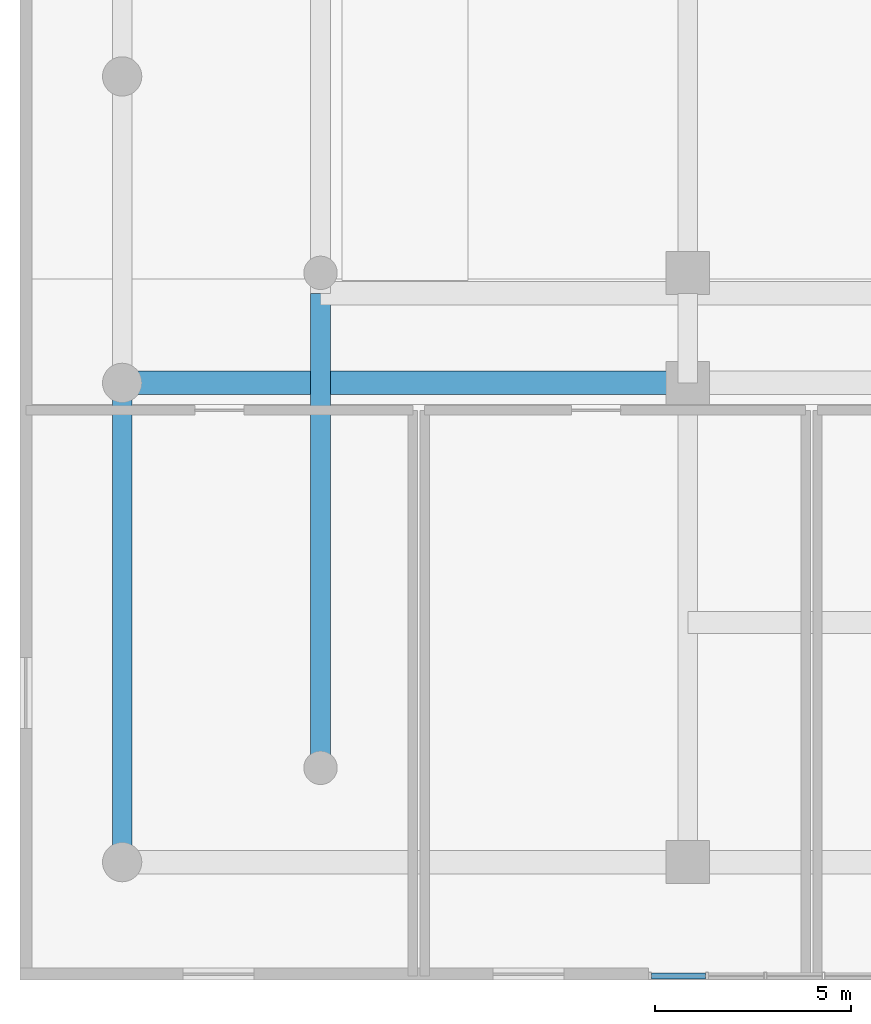
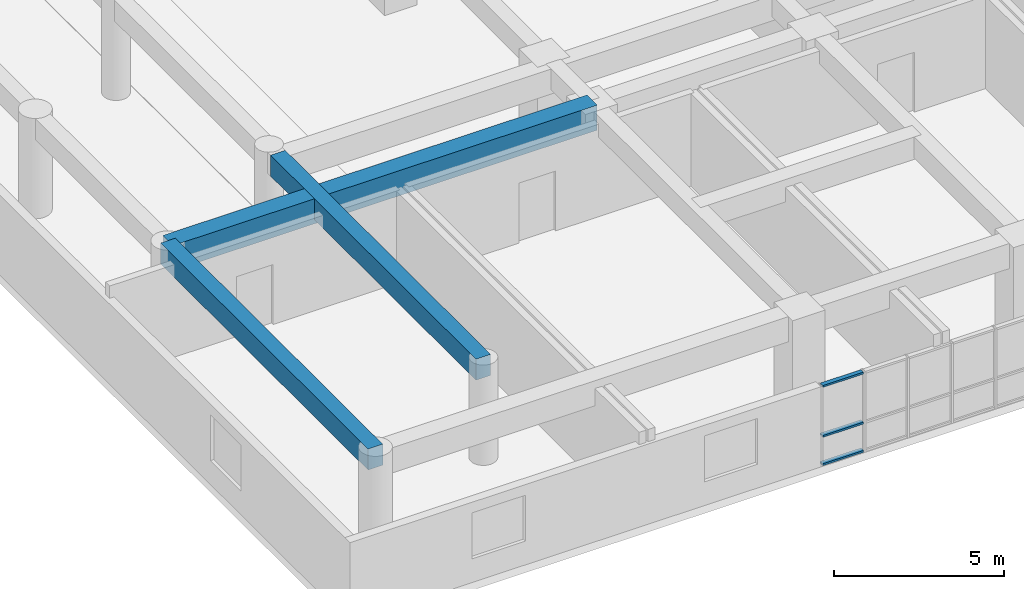
# One storey, part 3 of 30: 3 beams, 3 members, 1 element without a shape of its own.
"""IFC4 building model written with IfcOpenShell, lengths in metres."""

from ifc_helpers import new_model, si_unit, direction, frame, origin, origin_2d, place, context, subcontext, project, spatial, rectangle, hollow_rectangle, extrude, source, transform, mapped, material, layer, layer_set, material_profile, profile_set, type_object, element, aggregate, save


model = new_model("IFC4")

# Units and contexts
model_context = context("Model", 3, precision=1e-05, world=origin(), true_north=direction((0.0, 1.0)))
body_context = subcontext(model_context, "Body", "Model", "MODEL_VIEW")
ifc_project = project(units=[si_unit("LENGTHUNIT", "METRE"), si_unit("AREAUNIT", "SQUARE_METRE"), si_unit("VOLUMEUNIT", "CUBIC_METRE"), si_unit("PLANEANGLEUNIT", "RADIAN"), si_unit("MASSUNIT", "GRAM", prefix="KILO")], contexts=[model_context])

# Site, building, storey
site_placement = place(None, origin())
site = spatial("IfcSite", under=ifc_project, at=site_placement, CompositionType="ELEMENT")
building_placement = place(site_placement, origin())
building = spatial("IfcBuilding", under=site, at=building_placement, Name="Saelheon Loggia Tower", CompositionType="ELEMENT")
storey_placement = place(building_placement, frame((0.0, 0.0, 7.800048828125)))
storey = spatial("IfcBuildingStorey", under=building, at=storey_placement, Name="L02", CompositionType="ELEMENT", Elevation=7.800048828125)

# Beams
ifc_material_1 = material(Name="Concrete C50/60", Category="concrete")
ifc_material_profile_1 = material_profile(ifc_material_1, rectangle(XDim=0.60009765625, YDim=0.89990234375, at=origin_2d()), Name="RC-600x900")
ifc_profile_set_1 = profile_set([ifc_material_profile_1], Name="Concrete C50/60")
beam_type_1 = type_object("IfcBeamType", Name="Beam_MainGirder_RC600x900", PredefinedType="BEAM", material=ifc_profile_set_1)
shared_shape_1 = source(origin(), body_context, "Body", "SweptSolid", [
    extrude(rectangle(XDim=0.60009765625, YDim=0.89990234375, at=origin_2d()), origin(), (0.0, 0.0, 1.0), 14.39990234375),
])
beam_1_placement = place(storey_placement, frame((2.60009765625, 15.199951171875, 3.14990234375), z_axis=(1.0, 0.0, 0.0), x_axis=(0.0, 1.0, 0.0)))
element("IfcBeam", 1, at=beam_1_placement, inside=storey, type_object=beam_type_1, Name="BM-L02-EW-15-1", PredefinedType="BEAM", context=body_context, shape_type="MappedRepresentation", body=[
    mapped(shared_shape_1, transform((0.0, 0.0, 0.0), scale=1.0)),
])
ifc_material_2 = material(Name="Concrete C45/55", Category="concrete")
ifc_material_profile_2 = material_profile(ifc_material_2, rectangle(XDim=0.5, YDim=0.75, at=origin_2d()), Name="RC-500x750")
ifc_profile_set_2 = profile_set([ifc_material_profile_2], Name="Concrete C45/55")
beam_type_2 = type_object("IfcBeamType", Name="Beam_PerimGirder_RC500x750", PredefinedType="BEAM", material=ifc_profile_set_2)
shared_shape_2 = source(origin(), body_context, "Body", "SweptSolid", [
    extrude(rectangle(XDim=0.5, YDim=0.75, at=origin_2d()), origin(), (0.0, 0.0, 1.0), 12.199951171875),
])
beam_2_placement = place(storey_placement, frame((2.60009765625, 3.0, 3.224853515625), z_axis=(0.0, 1.0, 0.0), x_axis=(-1.0, 0.0, 0.0)))
element("IfcBeam", 2, at=beam_2_placement, inside=storey, type_object=beam_type_2, Name="BM-L02-NS-2-1", PredefinedType="BEAM", context=body_context, shape_type="MappedRepresentation", body=[
    mapped(shared_shape_2, transform((0.0, 0.0, 0.0), scale=1.0)),
])
ifc_material_profile_3 = material_profile(ifc_material_2, rectangle(XDim=0.5, YDim=0.75, at=origin_2d()), Name="RC-500x750")
ifc_profile_set_3 = profile_set([ifc_material_profile_3], Name="Concrete C45/55")
beam_type_3 = type_object("IfcBeamType", Name="Beam_FloorGirder_RC500x750", PredefinedType="BEAM", material=ifc_profile_set_3)
shared_shape_3 = source(origin(), body_context, "Body", "SweptSolid", [
    extrude(rectangle(XDim=0.5, YDim=0.75, at=origin_2d()), origin(), (0.0, 0.0, 1.0), 12.080078125),
])
beam_3_placement = place(storey_placement, frame((7.64990234375, 5.39990234375, 3.224853515625), z_axis=(0.0, 1.0, 0.0), x_axis=(-1.0, 0.0, 0.0)))
element("IfcBeam", 3, at=beam_3_placement, inside=storey, type_object=beam_type_3, Name="BM-L02-NS-7-1", PredefinedType="BEAM", context=body_context, shape_type="MappedRepresentation", body=[
    mapped(shared_shape_3, transform((0.0, 0.0, 0.0), scale=1.0)),
])

# Curtain wall, members
ifc_material_3 = material(Name="Aluminium 6063-T6 and Low-E IGU", Category="aluminium")
ifc_layer = layer(ifc_material_3, 0.179931640625)
ifc_layer_set = layer_set([ifc_layer], Name="Aluminium 6063-T6 and Low-E IGU")
curtain_wall_type = type_object("IfcCurtainWallType", Name="CW_PodiumClinic", PredefinedType="NOTDEFINED", material=ifc_layer_set)
curtain_wall_placement = place(storey_placement, origin())
curtain_wall = element("IfcCurtainWall", 4, at=curtain_wall_placement, inside=storey, type_object=curtain_wall_type, Name="L02 South Clinic Curtain Wall 1", PredefinedType="NOTDEFINED")
ifc_material_4 = material(Name="Anodised Aluminium 6063-T6", Category="aluminium")
ifc_material_profile_4 = material_profile(ifc_material_4, hollow_rectangle(XDim=0.070068359375, YDim=0.14990234375, WallThickness=0.0048828125, at=origin_2d()), Name="RHS-150x70x5")
ifc_profile_set_4 = profile_set([ifc_material_profile_4], Name="Anodised Aluminium 6063-T6")
member_type = type_object("IfcMemberType", Name="CW_PodiumClinic_Transom", PredefinedType="USERDEFINED", material=ifc_profile_set_4)
shared_shape_4 = source(origin(), body_context, "Body", "SweptSolid", [
    extrude(hollow_rectangle(XDim=0.070068359375, YDim=0.14990234375, WallThickness=0.0048828125, at=origin_2d()), origin(), (0.0, 0.0, 1.0), 1.3798828125),
])
member_1_placement = place(storey_placement, frame((16.070068359375, 0.10009765625, 0.034912109375), z_axis=(1.0, 0.0, 0.0), x_axis=(0.0, 0.0, 1.0)))
member_1 = element("IfcMember", 5, at=member_1_placement, type_object=member_type, Name="CW1 transom 1.1", ObjectType="TRANSOM", PredefinedType="USERDEFINED", context=body_context, shape_type="MappedRepresentation", body=[
    mapped(shared_shape_4, transform((0.0, 0.0, 0.0), scale=1.0)),
])
member_2_placement = place(storey_placement, frame((16.070068359375, 0.10009765625, 1.050048828125), z_axis=(1.0, 0.0, 0.0), x_axis=(0.0, 0.0, 1.0)))
member_2 = element("IfcMember", 6, at=member_2_placement, type_object=member_type, Name="CW1 transom 1.2", ObjectType="TRANSOM", PredefinedType="USERDEFINED", context=body_context, shape_type="MappedRepresentation", body=[
    mapped(shared_shape_4, transform((0.0, 0.0, 0.0), scale=1.0)),
])
member_3_placement = place(storey_placement, frame((16.070068359375, 0.10009765625, 2.844970703125), z_axis=(1.0, 0.0, 0.0), x_axis=(0.0, 0.0, 1.0)))
member_3 = element("IfcMember", 7, at=member_3_placement, type_object=member_type, Name="CW1 transom 1.3", ObjectType="TRANSOM", PredefinedType="USERDEFINED", context=body_context, shape_type="MappedRepresentation", body=[
    mapped(shared_shape_4, transform((0.0, 0.0, 0.0), scale=1.0)),
])
aggregate(curtain_wall, [member_1, member_2, member_3])

save(model, "model.ifc")
